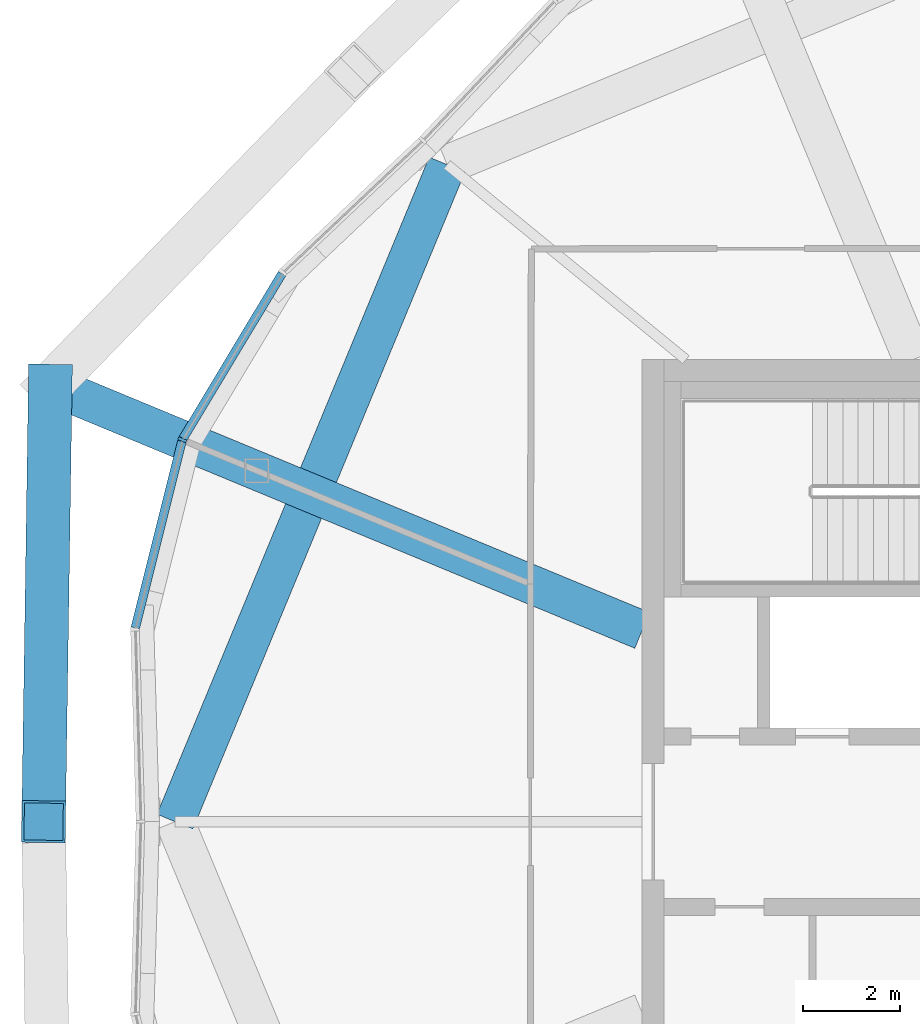
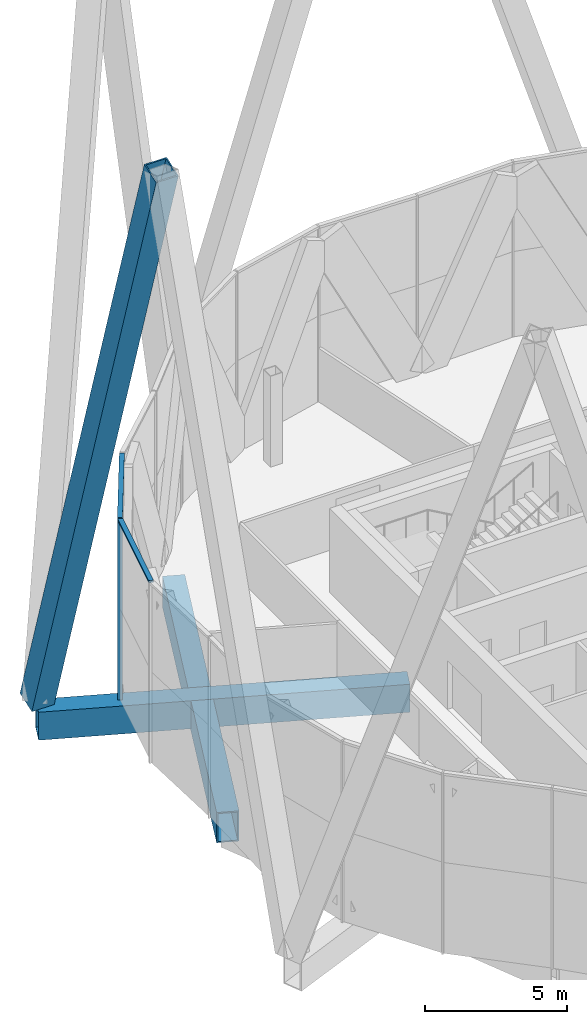
# One storey, part 9 of 53: 4 members, 2 beams, 1 element without a shape of its own.
"""IFC4 building model written with IfcOpenShell, lengths in metres."""

from ifc_helpers import new_model, si_unit, direction, frame, origin, origin_2d, place, context, subcontext, project, spatial, rectangle, hollow_rectangle, extrude, material, material_profile, profile_set, type_object, element, aggregate, save


model = new_model("IFC4")

# Units and contexts
model_context = context("Model", 3, precision=1e-05, world=origin(), true_north=direction((0.0, 1.0)))
body_context = subcontext(model_context, "Body", "Model", "MODEL_VIEW")
ifc_project = project(units=[si_unit("LENGTHUNIT", "METRE"), si_unit("AREAUNIT", "SQUARE_METRE"), si_unit("VOLUMEUNIT", "CUBIC_METRE"), si_unit("PLANEANGLEUNIT", "RADIAN"), si_unit("MASSUNIT", "GRAM", prefix="KILO")], contexts=[model_context])

# Site, building, storey
site_placement = place(None, origin())
site = spatial("IfcSite", under=ifc_project, at=site_placement, CompositionType="ELEMENT")
building_placement = place(site_placement, origin())
building = spatial("IfcBuilding", under=site, at=building_placement, Name="Ogive Gate Towers", CompositionType="ELEMENT")
storey_placement = place(building_placement, frame((0.0, 0.0, 240.60009765625)))
storey = spatial("IfcBuildingStorey", under=building, at=storey_placement, Name="L57", CompositionType="ELEMENT", Elevation=240.60009765625)

# Member
ifc_material_1 = material(Name="Steel SM460", Category="steel")
ifc_material_profile_1 = material_profile(ifc_material_1, hollow_rectangle(XDim=0.89990234375, YDim=0.89990234375, WallThickness=0.050048828125, at=origin_2d()), Name="BX 900x900x50")
ifc_profile_set_1 = profile_set([ifc_material_profile_1], Name="Steel SM460")
member_type_1 = type_object("IfcMemberType", Name="Diagrid diagonal BX 900x900x50", PredefinedType="BRACE", material=ifc_profile_set_1)
member_1_placement = place(storey_placement, frame((-57.67431640625, 8.977783203125, 0.0), z_axis=(-0.00458667981, -0.303356073086, 0.952866231582), x_axis=(0.999885715585, -0.015118061019, 0.0)))
element("IfcMember", 1, at=member_1_placement, inside=storey, type_object=member_type_1, Name="T1/L57/SDG008", PredefinedType="BRACE", context=body_context, shape_type="SweptSolid", body=[
    extrude(hollow_rectangle(XDim=0.89990234375, YDim=0.89990234375, WallThickness=0.050048828125, at=origin_2d()), origin(), (0.0, 0.0, 1.0), 29.594970703125),
])

# Beam
ifc_material_profile_2 = material_profile(ifc_material_1, hollow_rectangle(XDim=0.800048828125, YDim=1.300048828125, WallThickness=0.050048828125, at=origin_2d()), Name="BX 1300x800x50")
ifc_profile_set_2 = profile_set([ifc_material_profile_2], Name="Steel SM460")
beam_type_1 = type_object("IfcBeamType", Name="Edge girder BX 1300x800x50", PredefinedType="BEAM", material=ifc_profile_set_2)
beam_1_placement = place(storey_placement, frame((-49.5126953125, 13.5126953125, -0.9501953125), z_axis=(-0.38269921506, -0.923872994947, 0.0), x_axis=(0.923872994947, -0.38269921506, 0.0)))
element("IfcBeam", 2, at=beam_1_placement, inside=storey, type_object=beam_type_1, Name="T1/L57/SBM023", PredefinedType="BEAM", context=body_context, shape_type="SweptSolid", body=[
    extrude(hollow_rectangle(XDim=0.800048828125, YDim=1.300048828125, WallThickness=0.050048828125, at=origin_2d()), origin(), (0.0, 0.0, 1.0), 14.626220703125),
])

# Curtain wall, members
ifc_material_2 = material(Name="Pale metal aluminium", Category="aluminium")
curtain_wall_type = type_object("IfcCurtainWallType", Name="Tower unitised wall, high zone", PredefinedType="NOTDEFINED", material=ifc_material_2)
curtain_wall_placement = place(storey_placement, origin())
curtain_wall = element("IfcCurtainWall", 3, at=curtain_wall_placement, inside=storey, type_object=curtain_wall_type, Name="CW2 T1 ECW06", PredefinedType="NOTDEFINED")
ifc_material_profile_3 = material_profile(ifc_material_2, rectangle(XDim=0.179931640625, YDim=0.06005859375, at=origin_2d()), Name="60 x 180 aluminium box")
ifc_profile_set_3 = profile_set([ifc_material_profile_3], Name="Pale metal aluminium")
member_type_2 = type_object("IfcMemberType", Name="Tower unitised wall, high zone mullion 60 x 180", PredefinedType="MULLION", material=ifc_profile_set_3)
member_2_placement = place(storey_placement, frame((-54.958984375, 7.85302734375, -0.300048828125), z_axis=(0.0, 0.0, 1.0), x_axis=(0.923879532511, -0.382683432365, 0.0)))
member_2 = element("IfcMember", 4, at=member_2_placement, type_object=member_type_2, Name="CW2 mullion", PredefinedType="MULLION", context=body_context, shape_type="SweptSolid", body=[
    extrude(rectangle(XDim=0.179931640625, YDim=0.06005859375, at=origin_2d()), origin(), (0.0, 0.0, 1.0), 7.800048828125),
])
ifc_material_profile_4 = material_profile(ifc_material_2, rectangle(XDim=0.179931640625, YDim=0.10009765625, at=origin_2d()), Name="100 x 180 aluminium box")
ifc_profile_set_4 = profile_set([ifc_material_profile_4], Name="Pale metal aluminium")
member_type_3 = type_object("IfcMemberType", Name="Tower unitised wall, high zone transom 100 x 180", PredefinedType="USERDEFINED", material=ifc_profile_set_4)
member_3_placement = place(storey_placement, frame((-55.92431640625, 3.985107421875, 7.449951171875), z_axis=(0.24209986874, 0.970251335251, 0.0), x_axis=(-0.970251335251, 0.24209986874, 0.0)))
member_3 = element("IfcMember", 5, at=member_3_placement, type_object=member_type_3, Name="CW2 transom", ObjectType="TRANSOM", PredefinedType="USERDEFINED", context=body_context, shape_type="SweptSolid", body=[
    extrude(rectangle(XDim=0.179931640625, YDim=0.10009765625, at=origin_2d()), origin(), (0.0, 0.0, 1.0), 3.955078125),
])
member_4_placement = place(storey_placement, frame((-54.94287109375, 7.880126953125, 7.449951171875), z_axis=(0.51482252034, 0.857296782072, 0.0), x_axis=(-0.857296782072, 0.51482252034, 0.0)))
member_4 = element("IfcMember", 6, at=member_4_placement, type_object=member_type_3, Name="CW2 transom", ObjectType="TRANSOM", PredefinedType="USERDEFINED", context=body_context, shape_type="SweptSolid", body=[
    extrude(rectangle(XDim=0.179931640625, YDim=0.10009765625, at=origin_2d()), origin(), (0.0, 0.0, 1.0), 3.955078125),
])
aggregate(curtain_wall, [member_2, member_3, member_4])

# Beam
ifc_material_profile_5 = material_profile(ifc_material_1, hollow_rectangle(XDim=0.800048828125, YDim=1.199951171875, WallThickness=0.050048828125, at=origin_2d()), Name="BX 1200x800x50")
ifc_profile_set_5 = profile_set([ifc_material_profile_5], Name="Steel SM460")
beam_type_2 = type_object("IfcBeamType", Name="Transfer radial beam BX 1200x800x50", PredefinedType="BEAM", material=ifc_profile_set_5)
beam_2_placement = place(storey_placement, frame((-45.5, 3.93505859375, -0.900146484375), z_axis=(-0.923880669006, 0.382680688612, 0.0), x_axis=(-0.382680688612, -0.923880669006, 0.0)))
element("IfcBeam", 7, at=beam_2_placement, inside=storey, type_object=beam_type_2, Name="T1/L57/SBM014", PredefinedType="BEAM", context=body_context, shape_type="SweptSolid", body=[
    extrude(hollow_rectangle(XDim=0.800048828125, YDim=1.199951171875, WallThickness=0.050048828125, at=origin_2d()), origin(), (0.0, 0.0, 1.0), 13.177490234375),
])

save(model, "model.ifc")
